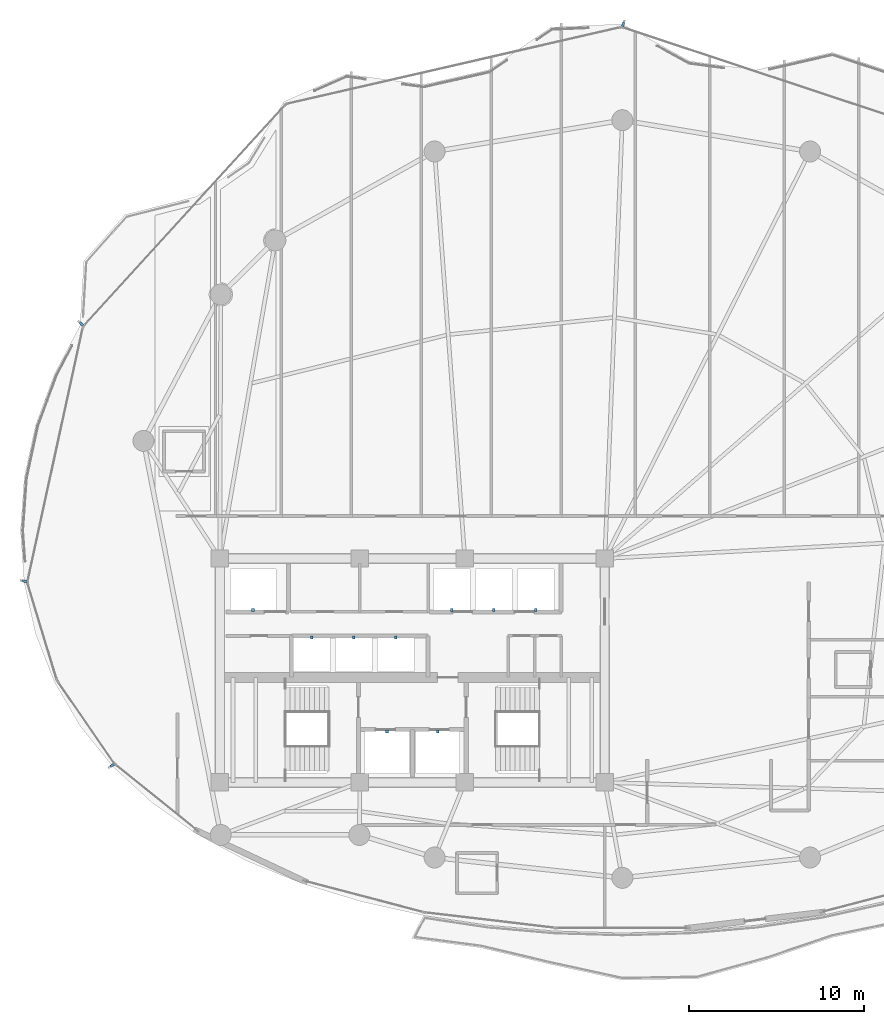
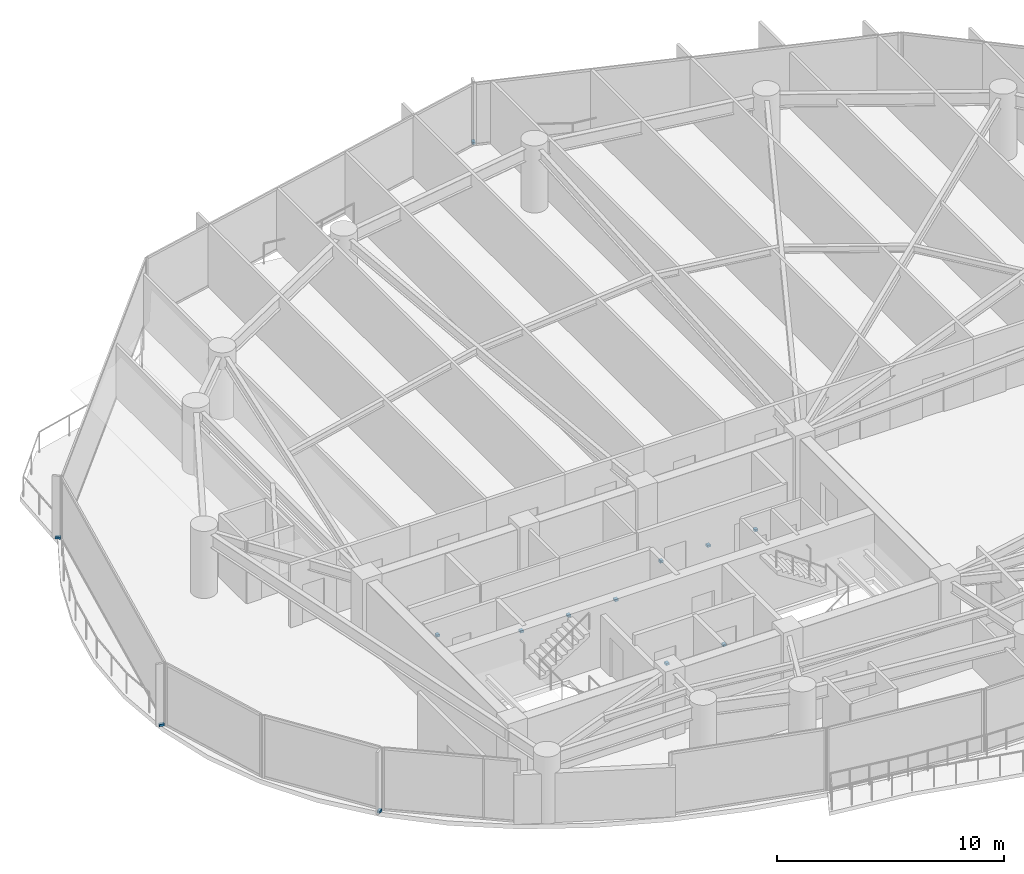
# One storey, part 29 of 34: 13 discrete accessories.
"""IFC4 building model written with IfcOpenShell, lengths in metres."""

from ifc_helpers import new_model, si_unit, direction, frame, origin, origin_2d, place, context, subcontext, project, spatial, rectangle, extrude, material, type_object, element, save


model = new_model("IFC4")

# Units and contexts
model_context = context("Model", 3, precision=1e-05, world=origin(), true_north=direction((0.0, 1.0)))
body_context = subcontext(model_context, "Body", "Model", "MODEL_VIEW")
ifc_project = project(units=[si_unit("LENGTHUNIT", "METRE"), si_unit("AREAUNIT", "SQUARE_METRE"), si_unit("VOLUMEUNIT", "CUBIC_METRE"), si_unit("PLANEANGLEUNIT", "RADIAN"), si_unit("MASSUNIT", "GRAM", prefix="KILO")], contexts=[model_context])

# Site, building, storey
site_placement = place(None, origin())
site = spatial("IfcSite", under=ifc_project, at=site_placement, CompositionType="ELEMENT")
building_placement = place(site_placement, origin())
building = spatial("IfcBuilding", under=site, at=building_placement, Name="Kazevale Care Tower and Concert Hall", CompositionType="ELEMENT")
storey_placement = place(building_placement, frame((0.0, 0.0, 160.199951171875)))
storey = spatial("IfcBuildingStorey", under=building, at=storey_placement, Name="L42", CompositionType="ELEMENT", Elevation=160.199951171875)

# Discrete accessories
ifc_material = material(Name="Stainless Steel 316", Category="steel")
discrete_accessory_type_1 = type_object("IfcDiscreteAccessoryType", Name="Facade Fin Stainless Anchor Bracket BRK-1", PredefinedType="BRACKET", material=ifc_material)
for number, where, z_axis, x_axis, name in (
    (1, (15.84130859375, 24.574462890625, 0.0), (0.0, 0.0, 1.0), (-0.823334533242, -0.567556381667, 0.0), "cw:L42:f11:brk"),
    (2, (10.83740234375, 35.099365234375, 0.0), (0.0, 0.0, 1.0), (-0.97708274037, 0.212859856409, 0.0), "cw:L42:f13:brk"),
    (3, (14.08544921875, 49.80908203125, 0.0), (0.0, 0.0, 1.0), (-0.738455340626, 0.674302387584, 0.0), "cw:L42:f14:brk"),
    (4, (45.049560546875, 66.916748046875, 0.0), (0.0, 0.0, 1.0), (0.314820866332, 0.949151106053, 0.0), "cw:L42:f16:brk"),
):
    element("IfcDiscreteAccessory", number, at=place(storey_placement, frame(where, z_axis=z_axis, x_axis=x_axis)), inside=storey, type_object=discrete_accessory_type_1, Name=name, PredefinedType="BRACKET", context=body_context, shape_type="SweptSolid", body=[
        extrude(rectangle(XDim=0.239990234375, YDim=0.139892578125, at=origin_2d()), origin(), (0.0, 0.0, 1.0), 0.1201171875),
    ])
discrete_accessory_type_2 = type_object("IfcDiscreteAccessoryType", Name="Hoistway Guide-Rail Wall Bracket HBRK-1", PredefinedType="BRACKET", material=ifc_material)
for number, where, z_axis, x_axis, name in (
    (5, (31.550048828125, 26.52001953125, 1.239990234375), (0.0, 0.0, 1.0), (1.0, 0.0, 0.0), "hbrk:FFL-1:L42"),
    (6, (34.449951171875, 26.52001953125, 1.239990234375), (0.0, 0.0, 1.0), (1.0, 0.0, 0.0), "hbrk:FFL-2:L42"),
    (7, (23.89990234375, 33.449951171875, 1.239990234375), (0.0, 0.0, 1.0), (1.0, 0.0, 0.0), "hbrk:SVL-1:L42"),
    (8, (35.25, 33.449951171875, 1.239990234375), (0.0, 0.0, 1.0), (1.0, 0.0, 0.0), "hbrk:PM-1:L42"),
    (9, (37.64990234375, 33.449951171875, 1.239990234375), (0.0, 0.0, 1.0), (1.0, 0.0, 0.0), "hbrk:PM-2:L42"),
    (10, (40.050048828125, 33.449951171875, 1.239990234375), (0.0, 0.0, 1.0), (1.0, 0.0, 0.0), "hbrk:PM-3:L42"),
    (11, (27.25, 31.8798828125, 1.239990234375), (0.0, 0.0, 1.0), (1.0, 0.0, 0.0), "hbrk:PH-1:L42"),
    (12, (29.64990234375, 31.8798828125, 1.239990234375), (0.0, 0.0, 1.0), (1.0, 0.0, 0.0), "hbrk:PH-2:L42"),
    (13, (32.050048828125, 31.8798828125, 1.239990234375), (0.0, 0.0, 1.0), (1.0, 0.0, 0.0), "hbrk:PH-3:L42"),
):
    element("IfcDiscreteAccessory", number, at=place(storey_placement, frame(where, z_axis=z_axis, x_axis=x_axis)), inside=storey, type_object=discrete_accessory_type_2, Name=name, PredefinedType="BRACKET", context=body_context, shape_type="SweptSolid", body=[
        extrude(rectangle(XDim=0.159912109375, YDim=0.179931640625, at=origin_2d()), origin(), (0.0, 0.0, 1.0), 0.1201171875),
    ])

save(model, "model.ifc")
